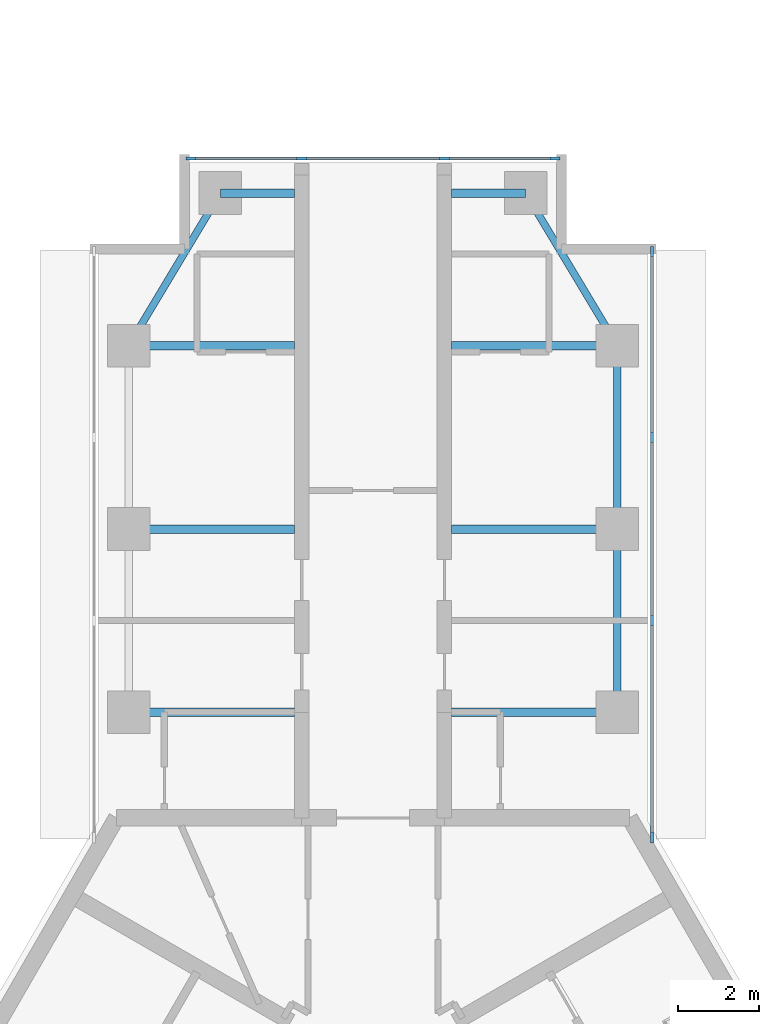
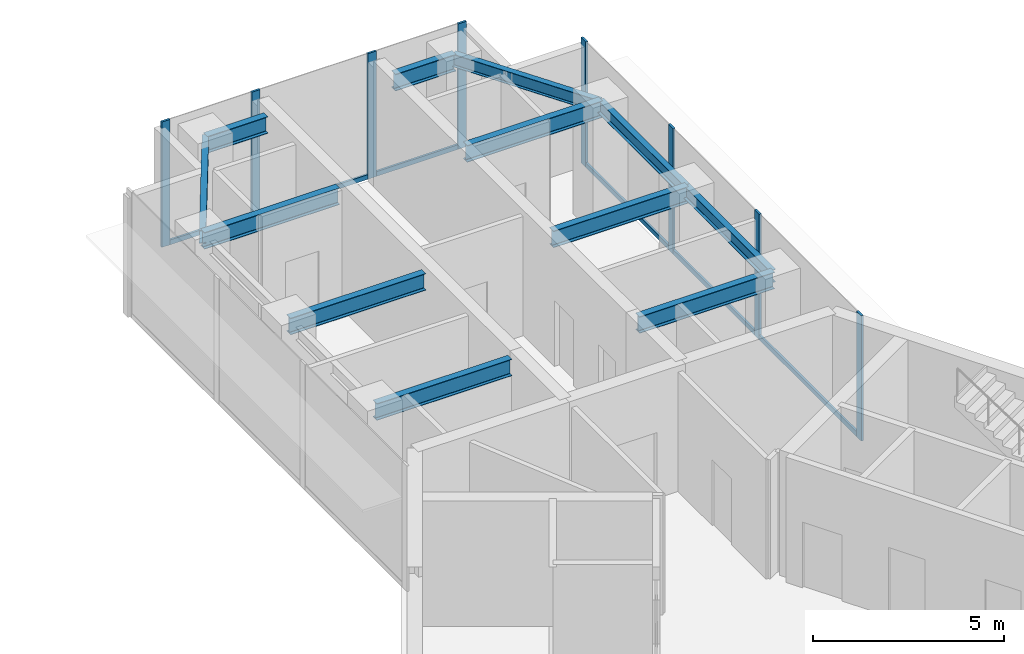
# One storey, part 3 of 11: 14 members, 12 beams, 2 elements without a shape of their own.
"""IFC4 building model written with IfcOpenShell, lengths in metres."""

from ifc_helpers import new_model, si_unit, direction, frame, origin, origin_2d, place, context, subcontext, project, spatial, rectangle, i_section, extrude, material, material_profile, profile_set, type_object, element, aggregate, save


model = new_model("IFC4")

# Units and contexts
model_context = context("Model", 3, precision=1e-05, world=origin(), true_north=direction((0.0, 1.0)))
body_context = subcontext(model_context, "Body", "Model", "MODEL_VIEW")
ifc_project = project(units=[si_unit("LENGTHUNIT", "METRE"), si_unit("AREAUNIT", "SQUARE_METRE"), si_unit("VOLUMEUNIT", "CUBIC_METRE"), si_unit("PLANEANGLEUNIT", "RADIAN"), si_unit("MASSUNIT", "GRAM", prefix="KILO")], contexts=[model_context])

# Site, building, storey
site_placement = place(None, origin())
site = spatial("IfcSite", under=ifc_project, at=site_placement, CompositionType="ELEMENT")
building_placement = place(site_placement, origin())
building = spatial("IfcBuilding", under=site, at=building_placement, Name="Upepo Twin Towers", CompositionType="ELEMENT")
storey_placement = place(building_placement, frame((0.0, 0.0, 251.5)))
storey = spatial("IfcBuildingStorey", under=building, at=storey_placement, Name="L61", CompositionType="ELEMENT", Elevation=251.5)

# Beams
ifc_material_1 = material(Name="Steel S355", Category="steel")
ifc_material_profile_1 = material_profile(ifc_material_1, i_section(OverallWidth=0.177978515625, OverallDepth=0.406494140625, WebThickness=0.0078125, FlangeThickness=0.0126953125, FilletRadius=0.01025390625, at=origin_2d()), Name="UB 406x178x60")
ifc_profile_set_1 = profile_set([ifc_material_profile_1], Name="Steel S355")
beam_type_1 = type_object("IfcBeamType", Name="Beam UB 406x178x60", PredefinedType="BEAM", material=ifc_profile_set_1)
beam_1_placement = place(storey_placement, frame((52.5, 4.5, 3.5966796875), z_axis=(0.514495755428, 0.857492925713, 0.0), x_axis=(-0.857492925713, 0.514495755428, 0.0)))
element("IfcBeam", 1, at=beam_1_placement, inside=storey, type_object=beam_type_1, Name="T2 nose edge beam AL", PredefinedType="BEAM", context=body_context, shape_type="SweptSolid", body=[
    extrude(i_section(OverallWidth=0.177978515625, OverallDepth=0.406494140625, WebThickness=0.0078125, FlangeThickness=0.0126953125, FilletRadius=0.01025390625, at=origin_2d()), origin(), (0.0, 0.0, 1.0), 4.373291015625),
])
for number, where, z_axis, x_axis, name in (
    (2, (64.5, -4.5, 3.5966796875), (0.0, 1.0, 0.0), (-1.0, 0.0, 0.0), "T2 edge beam AR 13.5-18.0"),
    (3, (64.5, 0.0, 3.5966796875), (0.0, 1.0, 0.0), (-1.0, 0.0, 0.0), "T2 edge beam AR 18.0-22.5"),
):
    element("IfcBeam", number, at=place(storey_placement, frame(where, z_axis=z_axis, x_axis=x_axis)), inside=storey, type_object=beam_type_1, Name=name, PredefinedType="BEAM", context=body_context, shape_type="SweptSolid", body=[
        extrude(i_section(OverallWidth=0.177978515625, OverallDepth=0.406494140625, WebThickness=0.0078125, FlangeThickness=0.0126953125, FilletRadius=0.01025390625, at=origin_2d()), origin(), (0.0, 0.0, 1.0), 4.5),
    ])
beam_2_placement = place(storey_placement, frame((64.5, 4.5, 3.5966796875), z_axis=(-0.514495755428, 0.857492925713, 0.0), x_axis=(-0.857492925713, -0.514495755428, 0.0)))
element("IfcBeam", 4, at=beam_2_placement, inside=storey, type_object=beam_type_1, Name="T2 nose edge beam AR", PredefinedType="BEAM", context=body_context, shape_type="SweptSolid", body=[
    extrude(i_section(OverallWidth=0.177978515625, OverallDepth=0.406494140625, WebThickness=0.0078125, FlangeThickness=0.0126953125, FilletRadius=0.01025390625, at=origin_2d()), origin(), (0.0, 0.0, 1.0), 4.373291015625),
])
ifc_material_2 = material(Name="Steel S355", Category="steel")
ifc_material_profile_2 = material_profile(ifc_material_2, i_section(OverallWidth=0.2099609375, OverallDepth=0.53662109375, WebThickness=0.0107421875, FlangeThickness=0.017333984375, FilletRadius=0.0126953125, at=origin_2d()), Name="UB 533x210x101")
ifc_profile_set_2 = profile_set([ifc_material_profile_2], Name="Steel S355")
beam_type_2 = type_object("IfcBeamType", Name="Beam UB 533x210x101", PredefinedType="BEAM", material=ifc_profile_set_2)
for number, where, z_axis, x_axis, name in (
    (5, (54.75, 8.25, 3.53173828125), (1.0, 0.0, 0.0), (0.0, 1.0, 0.0), "T2 nose beam AL"),
    (6, (62.25, 8.25, 3.53173828125), (-1.0, 0.0, 0.0), (0.0, -1.0, 0.0), "T2 nose beam AR"),
):
    element("IfcBeam", number, at=place(storey_placement, frame(where, z_axis=z_axis, x_axis=x_axis)), inside=storey, type_object=beam_type_2, Name=name, PredefinedType="BEAM", context=body_context, shape_type="SweptSolid", body=[
        extrude(i_section(OverallWidth=0.2099609375, OverallDepth=0.53662109375, WebThickness=0.0107421875, FlangeThickness=0.017333984375, FilletRadius=0.0126953125, at=origin_2d()), origin(), (0.0, 0.0, 1.0), 1.824951171875),
    ])
ifc_material_3 = material(Name="Steel S355", Category="steel")
ifc_material_profile_3 = material_profile(ifc_material_3, i_section(OverallWidth=0.209228515625, OverallDepth=0.533203125, WebThickness=0.010009765625, FlangeThickness=0.015625, FilletRadius=0.0126953125, at=origin_2d()), Name="UB 533x210x92")
ifc_profile_set_3 = profile_set([ifc_material_profile_3], Name="Steel S355")
beam_type_3 = type_object("IfcBeamType", Name="Beam UB 533x210x92", PredefinedType="BEAM", material=ifc_profile_set_3)
for number, where, z_axis, x_axis, name in (
    (7, (52.5, -4.5, 3.533447265625), (1.0, 0.0, 0.0), (0.0, 1.0, 0.0), "T2 girder AL at 13.5"),
    (8, (52.5, 0.0, 3.533447265625), (1.0, 0.0, 0.0), (0.0, 1.0, 0.0), "T2 girder AL at 18.0"),
    (9, (52.5, 4.5, 3.533447265625), (1.0, 0.0, 0.0), (0.0, 1.0, 0.0), "T2 girder AL at 22.5"),
    (10, (64.5, -4.5, 3.533447265625), (-1.0, 0.0, 0.0), (0.0, -1.0, 0.0), "T2 girder AR at 13.5"),
    (11, (64.5, 0.0, 3.533447265625), (-1.0, 0.0, 0.0), (0.0, -1.0, 0.0), "T2 girder AR at 18.0"),
    (12, (64.5, 4.5, 3.533447265625), (-1.0, 0.0, 0.0), (0.0, -1.0, 0.0), "T2 girder AR at 22.5"),
):
    element("IfcBeam", number, at=place(storey_placement, frame(where, z_axis=z_axis, x_axis=x_axis)), inside=storey, type_object=beam_type_3, Name=name, PredefinedType="BEAM", context=body_context, shape_type="SweptSolid", body=[
        extrude(i_section(OverallWidth=0.209228515625, OverallDepth=0.533203125, WebThickness=0.010009765625, FlangeThickness=0.015625, FilletRadius=0.0126953125, at=origin_2d()), origin(), (0.0, 0.0, 1.0), 4.074951171875),
    ])

# Curtain wall, members
ifc_material_4 = material(Name="Aluminium and fritted glass", Category="aluminium")
curtain_wall_type = type_object("IfcCurtainWallType", Name="Tower curtain wall TW4, fritted glass", PredefinedType="NOTDEFINED", material=ifc_material_4)
curtain_wall_1_placement = place(storey_placement, origin())
curtain_wall_1 = element("IfcCurtainWall", 13, at=curtain_wall_1_placement, inside=storey, type_object=curtain_wall_type, Name="T2 L61 wing A flank R curtain wall", PredefinedType="NOTDEFINED")
ifc_material_5 = material(Name="Aluminium mullion", Category="aluminium")
ifc_material_profile_4 = material_profile(ifc_material_5, rectangle(XDim=0.06494140625, YDim=0.25, at=origin_2d()), Name="MULLION 65x250")
ifc_profile_set_4 = profile_set([ifc_material_profile_4], Name="Aluminium mullion")
member_type_1 = type_object("IfcMemberType", Name="Mullion 65x250 TW4", PredefinedType="MULLION", material=ifc_profile_set_4)
member_1_placement = place(storey_placement, frame((65.35009765625, 6.8173828125, 0.0), z_axis=(0.0, 0.0, 1.0), x_axis=(1.0, 0.0, 0.0)))
member_1 = element("IfcMember", 14, at=member_1_placement, type_object=member_type_1, Name="T2 L61 wing A flank R curtain wall mullion 1", PredefinedType="MULLION", context=body_context, shape_type="SweptSolid", body=[
    extrude(rectangle(XDim=0.06494140625, YDim=0.25, at=origin_2d()), origin(), (0.0, 0.0, 1.0), 4.0),
])
member_2_placement = place(storey_placement, frame((65.35009765625, 2.25, 0.0), z_axis=(0.0, 0.0, 1.0), x_axis=(1.0, 0.0, 0.0)))
member_2 = element("IfcMember", 15, at=member_2_placement, type_object=member_type_1, Name="T2 L61 wing A flank R curtain wall mullion 2", PredefinedType="MULLION", context=body_context, shape_type="SweptSolid", body=[
    extrude(rectangle(XDim=0.06494140625, YDim=0.25, at=origin_2d()), origin(), (0.0, 0.0, 1.0), 4.0),
])
member_3_placement = place(storey_placement, frame((65.35009765625, -2.25, 0.0), z_axis=(0.0, 0.0, 1.0), x_axis=(1.0, 0.0, 0.0)))
member_3 = element("IfcMember", 16, at=member_3_placement, type_object=member_type_1, Name="T2 L61 wing A flank R curtain wall mullion 3", PredefinedType="MULLION", context=body_context, shape_type="SweptSolid", body=[
    extrude(rectangle(XDim=0.06494140625, YDim=0.25, at=origin_2d()), origin(), (0.0, 0.0, 1.0), 4.0),
])
member_4_placement = place(storey_placement, frame((65.35009765625, -7.580322265625, 0.0), z_axis=(0.0, 0.0, 1.0), x_axis=(1.0, 0.0, 0.0)))
member_4 = element("IfcMember", 17, at=member_4_placement, type_object=member_type_1, Name="T2 L61 wing A flank R curtain wall mullion 4", PredefinedType="MULLION", context=body_context, shape_type="SweptSolid", body=[
    extrude(rectangle(XDim=0.06494140625, YDim=0.25, at=origin_2d()), origin(), (0.0, 0.0, 1.0), 4.0),
])

curtain_wall_2_placement = place(storey_placement, origin())
curtain_wall_2 = element("IfcCurtainWall", 18, at=curtain_wall_2_placement, inside=storey, type_object=curtain_wall_type, Name="T2 L61 wing A nose curtain wall", PredefinedType="NOTDEFINED")
member_5_placement = place(storey_placement, frame((62.967529296875, 9.10009765625, 0.0), z_axis=(0.0, 0.0, 1.0), x_axis=(0.0, -1.0, 0.0)))
member_5 = element("IfcMember", 19, at=member_5_placement, type_object=member_type_1, Name="T2 L61 wing A nose curtain wall mullion 1", PredefinedType="MULLION", context=body_context, shape_type="SweptSolid", body=[
    extrude(rectangle(XDim=0.06494140625, YDim=0.25, at=origin_2d()), origin(), (0.0, 0.0, 1.0), 4.0),
])
member_6_placement = place(storey_placement, frame((60.25, 9.10009765625, 0.0), z_axis=(0.0, 0.0, 1.0), x_axis=(0.0, -1.0, 0.0)))
member_6 = element("IfcMember", 20, at=member_6_placement, type_object=member_type_1, Name="T2 L61 wing A nose curtain wall mullion 2", PredefinedType="MULLION", context=body_context, shape_type="SweptSolid", body=[
    extrude(rectangle(XDim=0.06494140625, YDim=0.25, at=origin_2d()), origin(), (0.0, 0.0, 1.0), 4.0),
])
member_7_placement = place(storey_placement, frame((56.75, 9.10009765625, 0.0), z_axis=(0.0, 0.0, 1.0), x_axis=(0.0, -1.0, 0.0)))
member_7 = element("IfcMember", 21, at=member_7_placement, type_object=member_type_1, Name="T2 L61 wing A nose curtain wall mullion 3", PredefinedType="MULLION", context=body_context, shape_type="SweptSolid", body=[
    extrude(rectangle(XDim=0.06494140625, YDim=0.25, at=origin_2d()), origin(), (0.0, 0.0, 1.0), 4.0),
])
member_8_placement = place(storey_placement, frame((54.032470703125, 9.10009765625, 0.0), z_axis=(0.0, 0.0, 1.0), x_axis=(0.0, -1.0, 0.0)))
member_8 = element("IfcMember", 22, at=member_8_placement, type_object=member_type_1, Name="T2 L61 wing A nose curtain wall mullion 4", PredefinedType="MULLION", context=body_context, shape_type="SweptSolid", body=[
    extrude(rectangle(XDim=0.06494140625, YDim=0.25, at=origin_2d()), origin(), (0.0, 0.0, 1.0), 4.0),
])

# Member
ifc_material_6 = material(Name="Aluminium transom", Category="aluminium")
ifc_material_profile_5 = material_profile(ifc_material_6, rectangle(XDim=0.06494140625, YDim=0.14990234375, at=origin_2d()), Name="TRANSOM 65x150")
ifc_profile_set_5 = profile_set([ifc_material_profile_5], Name="Aluminium transom")
member_type_2 = type_object("IfcMemberType", Name="Transom 65x150 TW4", PredefinedType="USERDEFINED", material=ifc_profile_set_5)
member_9_placement = place(storey_placement, frame((65.35009765625, 6.784912109375, 0.074951171875), z_axis=(0.0, -1.0, 0.0), x_axis=(1.0, 0.0, 0.0)))
member_9 = element("IfcMember", 23, at=member_9_placement, type_object=member_type_2, Name="T2 L61 wing A flank R curtain wall transom 1", ObjectType="TRANSOM", PredefinedType="USERDEFINED", context=body_context, shape_type="SweptSolid", body=[
    extrude(rectangle(XDim=0.06494140625, YDim=0.14990234375, at=origin_2d()), origin(), (0.0, 0.0, 1.0), 4.50244140625),
])

member_10_placement = place(storey_placement, frame((65.35009765625, 2.217529296875, 0.074951171875), z_axis=(0.0, -1.0, 0.0), x_axis=(1.0, 0.0, 0.0)))
member_10 = element("IfcMember", 24, at=member_10_placement, type_object=member_type_2, Name="T2 L61 wing A flank R curtain wall transom 2", ObjectType="TRANSOM", PredefinedType="USERDEFINED", context=body_context, shape_type="SweptSolid", body=[
    extrude(rectangle(XDim=0.06494140625, YDim=0.14990234375, at=origin_2d()), origin(), (0.0, 0.0, 1.0), 4.43505859375),
])

member_11_placement = place(storey_placement, frame((65.35009765625, -2.282470703125, 0.074951171875), z_axis=(0.0, -1.0, 0.0), x_axis=(1.0, 0.0, 0.0)))
member_11 = element("IfcMember", 25, at=member_11_placement, type_object=member_type_2, Name="T2 L61 wing A flank R curtain wall transom 3", ObjectType="TRANSOM", PredefinedType="USERDEFINED", context=body_context, shape_type="SweptSolid", body=[
    extrude(rectangle(XDim=0.06494140625, YDim=0.14990234375, at=origin_2d()), origin(), (0.0, 0.0, 1.0), 5.265380859375),
])

aggregate(curtain_wall_1, [member_1, member_2, member_3, member_4, member_9, member_10, member_11])

member_12_placement = place(storey_placement, frame((62.93505859375, 9.10009765625, 0.074951171875), z_axis=(-1.0, 0.0, 0.0), x_axis=(0.0, -1.0, 0.0)))
member_12 = element("IfcMember", 26, at=member_12_placement, type_object=member_type_2, Name="T2 L61 wing A nose curtain wall transom 1", ObjectType="TRANSOM", PredefinedType="USERDEFINED", context=body_context, shape_type="SweptSolid", body=[
    extrude(rectangle(XDim=0.06494140625, YDim=0.14990234375, at=origin_2d()), origin(), (0.0, 0.0, 1.0), 2.652587890625),
])

member_13_placement = place(storey_placement, frame((60.217529296875, 9.10009765625, 0.074951171875), z_axis=(-1.0, 0.0, 0.0), x_axis=(0.0, -1.0, 0.0)))
member_13 = element("IfcMember", 27, at=member_13_placement, type_object=member_type_2, Name="T2 L61 wing A nose curtain wall transom 2", ObjectType="TRANSOM", PredefinedType="USERDEFINED", context=body_context, shape_type="SweptSolid", body=[
    extrude(rectangle(XDim=0.06494140625, YDim=0.14990234375, at=origin_2d()), origin(), (0.0, 0.0, 1.0), 3.43505859375),
])

member_14_placement = place(storey_placement, frame((56.717529296875, 9.10009765625, 0.074951171875), z_axis=(-1.0, 0.0, 0.0), x_axis=(0.0, -1.0, 0.0)))
member_14 = element("IfcMember", 28, at=member_14_placement, type_object=member_type_2, Name="T2 L61 wing A nose curtain wall transom 3", ObjectType="TRANSOM", PredefinedType="USERDEFINED", context=body_context, shape_type="SweptSolid", body=[
    extrude(rectangle(XDim=0.06494140625, YDim=0.14990234375, at=origin_2d()), origin(), (0.0, 0.0, 1.0), 2.652587890625),
])

aggregate(curtain_wall_2, [member_5, member_6, member_7, member_8, member_12, member_13, member_14])

save(model, "model.ifc")
